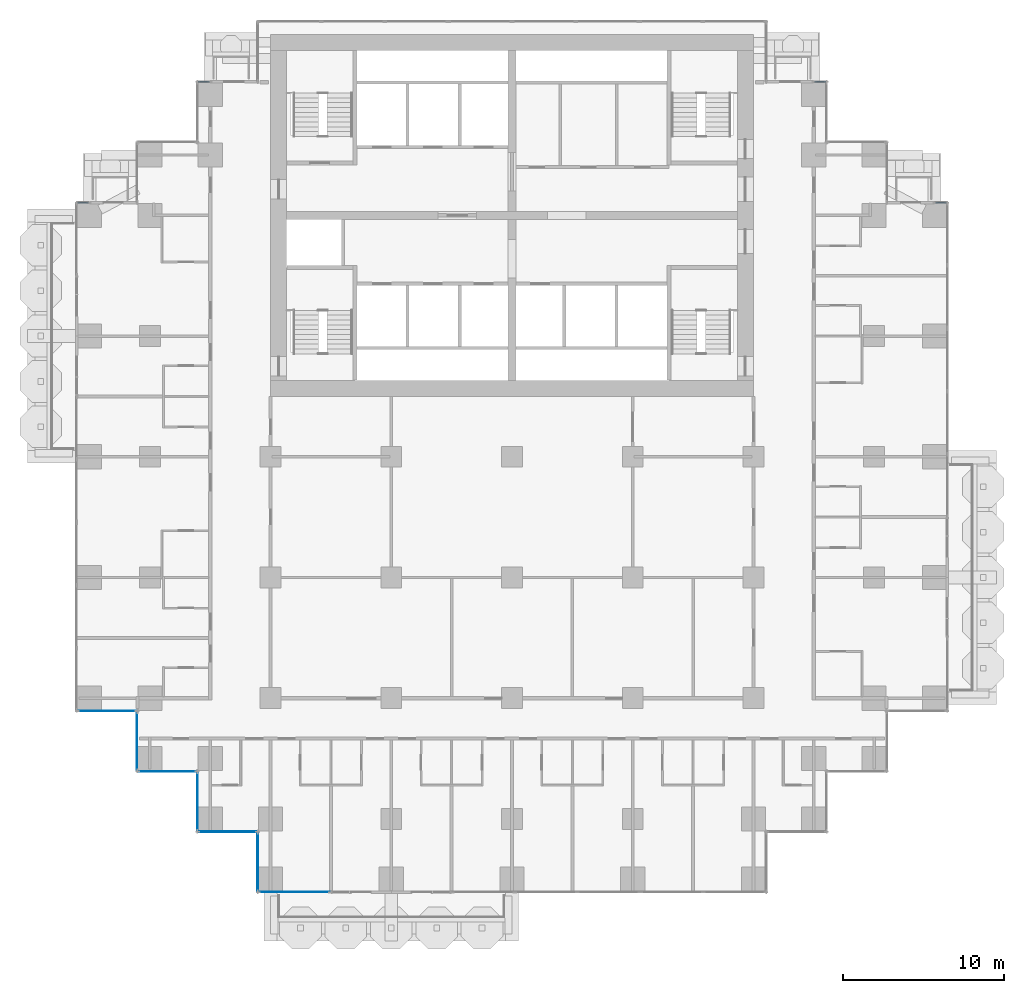
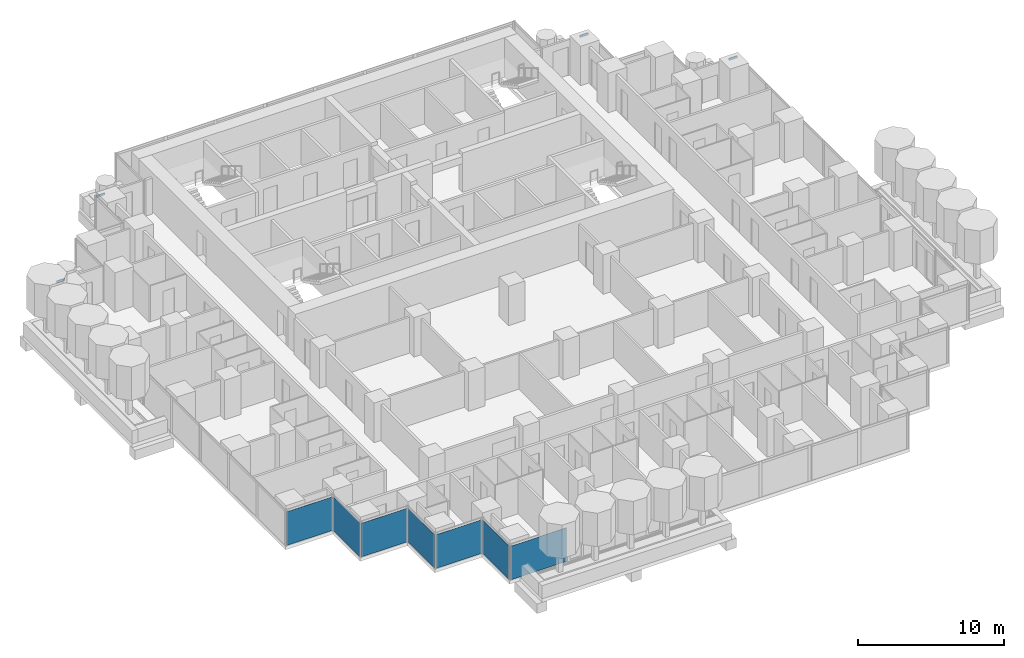
# One storey, part 7 of 19: 7 plates, 4 members, 11 elements without a shape of their own.
"""IFC4 building model written with IfcOpenShell, lengths in metres."""

from ifc_helpers import new_model, si_unit, direction, frame, origin, origin_2d, place, context, subcontext, project, spatial, rectangle, extrude, material, layer, layer_set, material_profile, profile_set, type_object, element, aggregate, save


model = new_model("IFC4")

# Units and contexts
model_context = context("Model", 3, precision=1e-05, world=origin(), true_north=direction((0.0, 1.0)))
body_context = subcontext(model_context, "Body", "Model", "MODEL_VIEW")
ifc_project = project(units=[si_unit("LENGTHUNIT", "METRE"), si_unit("AREAUNIT", "SQUARE_METRE"), si_unit("VOLUMEUNIT", "CUBIC_METRE"), si_unit("PLANEANGLEUNIT", "RADIAN"), si_unit("MASSUNIT", "GRAM", prefix="KILO")], contexts=[model_context])

# Site, building, storey
site_placement = place(None, origin())
site = spatial("IfcSite", under=ifc_project, at=site_placement, CompositionType="ELEMENT")
building_placement = place(site_placement, origin())
building = spatial("IfcBuilding", under=site, at=building_placement, Name="Pilkhan Gate Tower", CompositionType="ELEMENT")
storey_placement = place(building_placement, frame((0.0, 0.0, 95.60009765625)))
storey = spatial("IfcBuildingStorey", under=building, at=storey_placement, Name="L23", CompositionType="ELEMENT", Elevation=95.60009765625)

# Curtain wall, member
ifc_material_1 = material(Name="Pale anodised aluminium, clear low-iron double glazing", Category="aluminium")
curtain_wall_type = type_object("IfcCurtainWallType", Name="Hotel unitised curtain wall CW-H", PredefinedType="USERDEFINED", material=ifc_material_1)
curtain_wall_1_placement = place(storey_placement, origin())
curtain_wall_1 = element("IfcCurtainWall", 1, at=curtain_wall_1_placement, inside=storey, type_object=curtain_wall_type, Name="Hotel unitised curtain wall CW-H L23 N", ObjectType="UNITISED CURTAIN WALL", PredefinedType="USERDEFINED")
ifc_material_2 = material(Name="Pale anodised aluminium", Category="aluminium")
ifc_material_profile = material_profile(ifc_material_2, rectangle(XDim=0.06494140625, YDim=0.179931640625, at=origin_2d()), Name="Transom 180x65")
ifc_profile_set = profile_set([ifc_material_profile], Name="Pale anodised aluminium")
member_type = type_object("IfcMemberType", Name="Transom CW-H 180x65", PredefinedType="USERDEFINED", material=ifc_profile_set)
member_1_placement = place(storey_placement, frame((101.31494140625, 83.294921875, 2.909912109375), z_axis=(1.0, 0.0, 0.0), x_axis=(0.0, 1.0, 0.0)))
member_1 = element("IfcMember", 2, at=member_1_placement, type_object=member_type, Name="CW-H transom 1", ObjectType="TRANSOM", PredefinedType="USERDEFINED", context=body_context, shape_type="SweptSolid", body=[
    extrude(rectangle(XDim=0.06494140625, YDim=0.179931640625, at=origin_2d()), origin(), (0.0, 0.0, 1.0), 0.6650390625),
])
aggregate(curtain_wall_1, [member_1])

curtain_wall_2_placement = place(storey_placement, origin())
curtain_wall_2 = element("IfcCurtainWall", 3, at=curtain_wall_2_placement, inside=storey, type_object=curtain_wall_type, Name="Hotel unitised curtain wall CW-H L23 N", ObjectType="UNITISED CURTAIN WALL", PredefinedType="USERDEFINED")
member_2_placement = place(storey_placement, frame((93.81494140625, 90.794921875, 2.909912109375), z_axis=(1.0, 0.0, 0.0), x_axis=(0.0, 1.0, 0.0)))
member_2 = element("IfcMember", 4, at=member_2_placement, type_object=member_type, Name="CW-H transom 1", ObjectType="TRANSOM", PredefinedType="USERDEFINED", context=body_context, shape_type="SweptSolid", body=[
    extrude(rectangle(XDim=0.06494140625, YDim=0.179931640625, at=origin_2d()), origin(), (0.0, 0.0, 1.0), 0.6650390625),
])
aggregate(curtain_wall_2, [member_2])

curtain_wall_3_placement = place(storey_placement, origin())
curtain_wall_3 = element("IfcCurtainWall", 5, at=curtain_wall_3_placement, inside=storey, type_object=curtain_wall_type, Name="Hotel unitised curtain wall CW-H L23 N", ObjectType="UNITISED CURTAIN WALL", PredefinedType="USERDEFINED")
member_3_placement = place(storey_placement, frame((55.52001953125, 90.794921875, 2.909912109375), z_axis=(1.0, 0.0, 0.0), x_axis=(0.0, 1.0, 0.0)))
member_3 = element("IfcMember", 6, at=member_3_placement, type_object=member_type, Name="CW-H transom 1", ObjectType="TRANSOM", PredefinedType="USERDEFINED", context=body_context, shape_type="SweptSolid", body=[
    extrude(rectangle(XDim=0.06494140625, YDim=0.179931640625, at=origin_2d()), origin(), (0.0, 0.0, 1.0), 0.6650390625),
])
aggregate(curtain_wall_3, [member_3])

curtain_wall_4_placement = place(storey_placement, origin())
curtain_wall_4 = element("IfcCurtainWall", 7, at=curtain_wall_4_placement, inside=storey, type_object=curtain_wall_type, Name="Hotel unitised curtain wall CW-H L23 N", ObjectType="UNITISED CURTAIN WALL", PredefinedType="USERDEFINED")
member_4_placement = place(storey_placement, frame((48.02001953125, 83.294921875, 2.909912109375), z_axis=(1.0, 0.0, 0.0), x_axis=(0.0, 1.0, 0.0)))
member_4 = element("IfcMember", 8, at=member_4_placement, type_object=member_type, Name="CW-H transom 1", ObjectType="TRANSOM", PredefinedType="USERDEFINED", context=body_context, shape_type="SweptSolid", body=[
    extrude(rectangle(XDim=0.06494140625, YDim=0.179931640625, at=origin_2d()), origin(), (0.0, 0.0, 1.0), 0.6650390625),
])
aggregate(curtain_wall_4, [member_4])

# Curtain wall, plate
curtain_wall_5_placement = place(storey_placement, origin())
curtain_wall_5 = element("IfcCurtainWall", 9, at=curtain_wall_5_placement, inside=storey, type_object=curtain_wall_type, Name="Hotel unitised curtain wall CW-H L23 S", ObjectType="UNITISED CURTAIN WALL", PredefinedType="USERDEFINED")
ifc_material_3 = material(Name="Clear low-iron double glazing", Category="glass")
ifc_layer = layer(ifc_material_3, 0.035888671875)
ifc_layer_set = layer_set([ifc_layer], Name="Glass panel CW-H 36")
plate_type = type_object("IfcPlateType", Name="Glass panel CW-H 36", PredefinedType="CURTAIN_PANEL", material=ifc_layer_set)
plate_1_placement = place(storey_placement, frame((49.830078125, 51.705078125, 0.0), z_axis=(0.0, 0.0, 1.0), x_axis=(1.0, 0.0, 0.0)))
plate_1 = element("IfcPlate", 10, at=plate_1_placement, type_object=plate_type, Name="CW-H panel 1", PredefinedType="CURTAIN_PANEL", context=body_context, shape_type="SweptSolid", body=[
    extrude(rectangle(XDim=3.6201171875, YDim=0.035888671875, at=origin_2d()), origin(), (0.0, 0.0, 1.0), 2.820068359375),
])
aggregate(curtain_wall_5, [plate_1])

curtain_wall_6_placement = place(storey_placement, origin())
curtain_wall_6 = element("IfcCurtainWall", 11, at=curtain_wall_6_placement, inside=storey, type_object=curtain_wall_type, Name="Hotel unitised curtain wall CW-H L23 W", ObjectType="UNITISED CURTAIN WALL", PredefinedType="USERDEFINED")
plate_2_placement = place(storey_placement, frame((51.705078125, 49.830078125, 0.0), z_axis=(0.0, 0.0, 1.0), x_axis=(0.0, 1.0, 0.0)))
plate_2 = element("IfcPlate", 12, at=plate_2_placement, type_object=plate_type, Name="CW-H panel 1", PredefinedType="CURTAIN_PANEL", context=body_context, shape_type="SweptSolid", body=[
    extrude(rectangle(XDim=3.6201171875, YDim=0.035888671875, at=origin_2d()), origin(), (0.0, 0.0, 1.0), 2.820068359375),
])
aggregate(curtain_wall_6, [plate_2])

curtain_wall_7_placement = place(storey_placement, origin())
curtain_wall_7 = element("IfcCurtainWall", 13, at=curtain_wall_7_placement, inside=storey, type_object=curtain_wall_type, Name="Hotel unitised curtain wall CW-H L23 S", ObjectType="UNITISED CURTAIN WALL", PredefinedType="USERDEFINED")
plate_3_placement = place(storey_placement, frame((53.580078125, 47.955078125, 0.0), z_axis=(0.0, 0.0, 1.0), x_axis=(1.0, 0.0, 0.0)))
plate_3 = element("IfcPlate", 14, at=plate_3_placement, type_object=plate_type, Name="CW-H panel 1", PredefinedType="CURTAIN_PANEL", context=body_context, shape_type="SweptSolid", body=[
    extrude(rectangle(XDim=3.6201171875, YDim=0.035888671875, at=origin_2d()), origin(), (0.0, 0.0, 1.0), 2.820068359375),
])
aggregate(curtain_wall_7, [plate_3])

curtain_wall_8_placement = place(storey_placement, origin())
curtain_wall_8 = element("IfcCurtainWall", 15, at=curtain_wall_8_placement, inside=storey, type_object=curtain_wall_type, Name="Hotel unitised curtain wall CW-H L23 W", ObjectType="UNITISED CURTAIN WALL", PredefinedType="USERDEFINED")
plate_4_placement = place(storey_placement, frame((55.455078125, 46.080078125, 0.0), z_axis=(0.0, 0.0, 1.0), x_axis=(0.0, 1.0, 0.0)))
plate_4 = element("IfcPlate", 16, at=plate_4_placement, type_object=plate_type, Name="CW-H panel 1", PredefinedType="CURTAIN_PANEL", context=body_context, shape_type="SweptSolid", body=[
    extrude(rectangle(XDim=3.6201171875, YDim=0.035888671875, at=origin_2d()), origin(), (0.0, 0.0, 1.0), 2.820068359375),
])
aggregate(curtain_wall_8, [plate_4])

curtain_wall_9_placement = place(storey_placement, origin())
curtain_wall_9 = element("IfcCurtainWall", 17, at=curtain_wall_9_placement, inside=storey, type_object=curtain_wall_type, Name="Hotel unitised curtain wall CW-H L23 S", ObjectType="UNITISED CURTAIN WALL", PredefinedType="USERDEFINED")
plate_5_placement = place(storey_placement, frame((57.330078125, 44.205078125, 0.0), z_axis=(0.0, 0.0, 1.0), x_axis=(1.0, 0.0, 0.0)))
plate_5 = element("IfcPlate", 18, at=plate_5_placement, type_object=plate_type, Name="CW-H panel 1", PredefinedType="CURTAIN_PANEL", context=body_context, shape_type="SweptSolid", body=[
    extrude(rectangle(XDim=3.6201171875, YDim=0.035888671875, at=origin_2d()), origin(), (0.0, 0.0, 1.0), 2.820068359375),
])
aggregate(curtain_wall_9, [plate_5])

curtain_wall_10_placement = place(storey_placement, origin())
curtain_wall_10 = element("IfcCurtainWall", 19, at=curtain_wall_10_placement, inside=storey, type_object=curtain_wall_type, Name="Hotel unitised curtain wall CW-H L23 W", ObjectType="UNITISED CURTAIN WALL", PredefinedType="USERDEFINED")
plate_6_placement = place(storey_placement, frame((59.205078125, 42.330078125, 0.0), z_axis=(0.0, 0.0, 1.0), x_axis=(0.0, 1.0, 0.0)))
plate_6 = element("IfcPlate", 20, at=plate_6_placement, type_object=plate_type, Name="CW-H panel 1", PredefinedType="CURTAIN_PANEL", context=body_context, shape_type="SweptSolid", body=[
    extrude(rectangle(XDim=3.6201171875, YDim=0.035888671875, at=origin_2d()), origin(), (0.0, 0.0, 1.0), 2.820068359375),
])
aggregate(curtain_wall_10, [plate_6])

curtain_wall_11_placement = place(storey_placement, origin())
curtain_wall_11 = element("IfcCurtainWall", 21, at=curtain_wall_11_placement, inside=storey, type_object=curtain_wall_type, Name="Hotel unitised curtain wall CW-H L23 S", ObjectType="UNITISED CURTAIN WALL", PredefinedType="USERDEFINED")
plate_7_placement = place(storey_placement, frame((61.4775390625, 40.455078125, 0.0), z_axis=(0.0, 0.0, 1.0), x_axis=(1.0, 0.0, 0.0)))
plate_7 = element("IfcPlate", 22, at=plate_7_placement, type_object=plate_type, Name="CW-H panel 1", PredefinedType="CURTAIN_PANEL", context=body_context, shape_type="SweptSolid", body=[
    extrude(rectangle(XDim=4.4150390625, YDim=0.035888671875, at=origin_2d()), origin(), (0.0, 0.0, 1.0), 2.820068359375),
])
aggregate(curtain_wall_11, [plate_7])

save(model, "model.ifc")
